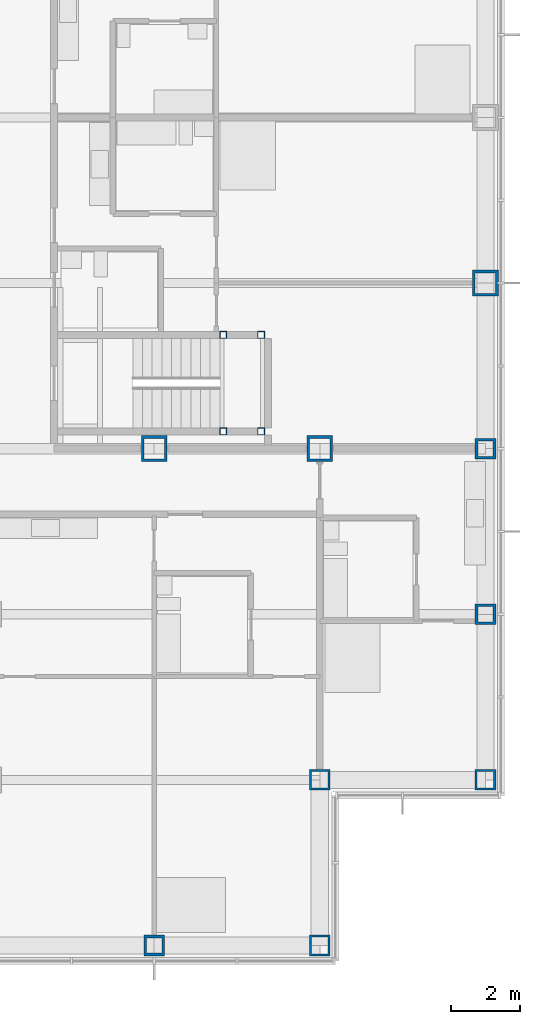
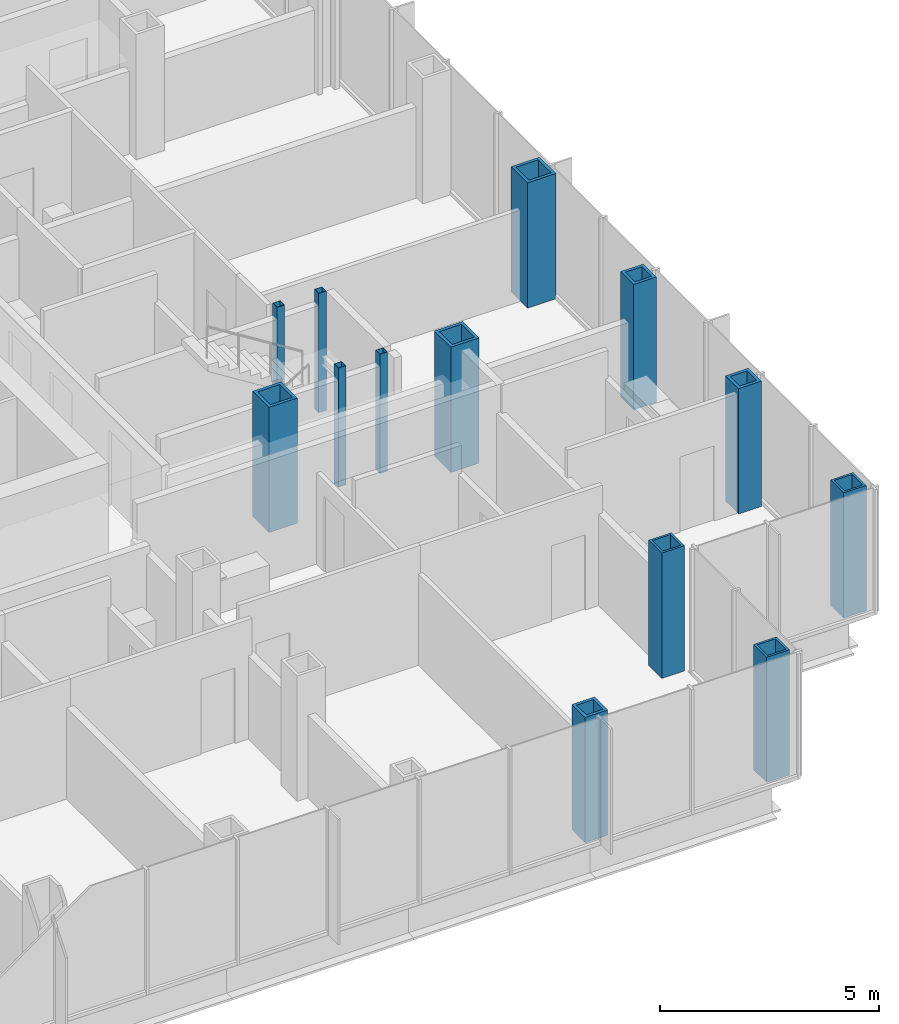
# One storey, part 4 of 21: 13 columns.
"""IFC4 building model written with IfcOpenShell, lengths in metres."""

from ifc_helpers import new_model, si_unit, direction, frame, origin, origin_2d, place, context, subcontext, project, spatial, hollow_rectangle, extrude, material, material_profile, profile_set, type_object, element, save


model = new_model("IFC4")

# Units and contexts
model_context = context("Model", 3, precision=1e-05, world=origin(), true_north=direction((0.0, 1.0)))
body_context = subcontext(model_context, "Body", "Model", "MODEL_VIEW")
ifc_project = project(units=[si_unit("LENGTHUNIT", "METRE"), si_unit("AREAUNIT", "SQUARE_METRE"), si_unit("VOLUMEUNIT", "CUBIC_METRE"), si_unit("PLANEANGLEUNIT", "RADIAN"), si_unit("MASSUNIT", "GRAM", prefix="KILO")], contexts=[model_context])

# Site, building, storey
site_placement = place(None, origin())
site = spatial("IfcSite", under=ifc_project, at=site_placement, CompositionType="ELEMENT")
building_placement = place(site_placement, origin())
building = spatial("IfcBuilding", under=site, at=building_placement, Name="Kvirike Care Tower", CompositionType="ELEMENT")
storey_placement = place(building_placement, frame((0.0, 0.0, 41.0)))
storey = spatial("IfcBuildingStorey", under=building, at=storey_placement, Name="L10", CompositionType="ELEMENT", Elevation=41.0)

# Columns
ifc_material_1 = material(Name="Steel S460", Category="steel")
ifc_material_profile_1 = material_profile(ifc_material_1, hollow_rectangle(XDim=0.60009765625, YDim=0.60009765625, WallThickness=0.06005859375, at=origin_2d()), Name="BX 600x600x60")
ifc_profile_set_1 = profile_set([ifc_material_profile_1], Name="Steel S460")
column_type_1 = type_object("IfcColumnType", Name="COLUMN BX 600x600x60", PredefinedType="COLUMN", material=ifc_profile_set_1)
for number, where, z_axis, x_axis, name in (
    (1, (38.39990234375, 14.39990234375, 0.0), (0.0, 0.0, 1.0), (0.0, 1.0, 0.0), "Column D11 L10"),
    (2, (38.39990234375, 19.199951171875, 0.0), (0.0, 0.0, 1.0), (0.0, 1.0, 0.0), "Column E11 L10"),
    (3, (43.199951171875, 19.199951171875, 0.0), (0.0, 0.0, 1.0), (0.0, 1.0, 0.0), "Column E12 L10"),
):
    element("IfcColumn", number, at=place(storey_placement, frame(where, z_axis=z_axis, x_axis=x_axis)), inside=storey, type_object=column_type_1, Name=name, PredefinedType="COLUMN", context=body_context, shape_type="SweptSolid", body=[
        extrude(hollow_rectangle(XDim=0.60009765625, YDim=0.60009765625, WallThickness=0.06005859375, at=origin_2d()), origin(), (0.0, 0.0, 1.0), 3.5),
    ])
ifc_material_2 = material(Name="Steel S460", Category="steel")
ifc_material_profile_2 = material_profile(ifc_material_2, hollow_rectangle(XDim=0.60009765625, YDim=0.60009765625, WallThickness=0.080078125, at=origin_2d()), Name="BX 600x600x80")
ifc_profile_set_2 = profile_set([ifc_material_profile_2], Name="Steel S460")
column_type_2 = type_object("IfcColumnType", Name="COLUMN BX 600x600x80", PredefinedType="COLUMN", material=ifc_profile_set_2)
for number, where, z_axis, x_axis, name in (
    (4, (33.60009765625, 14.39990234375, 0.0), (0.0, 0.0, 1.0), (0.0, 1.0, 0.0), "Column D10 L10"),
    (5, (43.199951171875, 24.0, 0.0), (0.0, 0.0, 1.0), (1.0, 0.0, 0.0), "Column F12 L10"),
    (6, (43.199951171875, 28.800048828125, 0.0), (0.0, 0.0, 1.0), (0.0, 1.0, 0.0), "Column G12 L10"),
):
    element("IfcColumn", number, at=place(storey_placement, frame(where, z_axis=z_axis, x_axis=x_axis)), inside=storey, type_object=column_type_2, Name=name, PredefinedType="COLUMN", context=body_context, shape_type="SweptSolid", body=[
        extrude(hollow_rectangle(XDim=0.60009765625, YDim=0.60009765625, WallThickness=0.080078125, at=origin_2d()), origin(), (0.0, 0.0, 1.0), 3.5),
    ])
ifc_material_3 = material(Name="Steel S460", Category="steel")
ifc_material_profile_3 = material_profile(ifc_material_3, hollow_rectangle(XDim=0.75, YDim=0.75, WallThickness=0.080078125, at=origin_2d()), Name="BX 750x750x80")
ifc_profile_set_3 = profile_set([ifc_material_profile_3], Name="Steel S460")
column_type_3 = type_object("IfcColumnType", Name="COLUMN BX 750x750x80", PredefinedType="COLUMN", material=ifc_profile_set_3)
for number, where, z_axis, x_axis, name in (
    (7, (33.60009765625, 28.800048828125, 0.0), (0.0, 0.0, 1.0), (0.0, 1.0, 0.0), "Column G10 L10"),
    (8, (38.39990234375, 28.800048828125, 0.0), (0.0, 0.0, 1.0), (0.0, 1.0, 0.0), "Column G11 L10"),
    (9, (43.199951171875, 33.60009765625, 0.0), (0.0, 0.0, 1.0), (1.0, 0.0, 0.0), "Column H12 L10"),
):
    element("IfcColumn", number, at=place(storey_placement, frame(where, z_axis=z_axis, x_axis=x_axis)), inside=storey, type_object=column_type_3, Name=name, PredefinedType="COLUMN", context=body_context, shape_type="SweptSolid", body=[
        extrude(hollow_rectangle(XDim=0.75, YDim=0.75, WallThickness=0.080078125, at=origin_2d()), origin(), (0.0, 0.0, 1.0), 3.5),
    ])
ifc_material_4 = material(Name="Steel S460", Category="steel")
ifc_material_profile_4 = material_profile(ifc_material_4, hollow_rectangle(XDim=0.199951171875, YDim=0.199951171875, WallThickness=0.008056640625, at=origin_2d()), Name="SHS 200x200x8")
ifc_profile_set_4 = profile_set([ifc_material_profile_4], Name="Steel S460")
column_type_4 = type_object("IfcColumnType", Name="STAIR POST SHS 200x200x8", PredefinedType="COLUMN", material=ifc_profile_set_4)
for number, where, z_axis, x_axis, name in (
    (10, (36.699951171875, 29.300048828125, 0.0), (0.0, 0.0, 1.0), (1.0, 0.0, 0.0), "Stair 2 post 1 L10"),
    (11, (36.699951171875, 32.10009765625, 0.0), (0.0, 0.0, 1.0), (1.0, 0.0, 0.0), "Stair 2 post 2 L10"),
    (12, (35.60009765625, 29.300048828125, 0.0), (0.0, 0.0, 1.0), (1.0, 0.0, 0.0), "Stair 2 post 3 L10"),
    (13, (35.60009765625, 32.10009765625, 0.0), (0.0, 0.0, 1.0), (1.0, 0.0, 0.0), "Stair 2 post 4 L10"),
):
    element("IfcColumn", number, at=place(storey_placement, frame(where, z_axis=z_axis, x_axis=x_axis)), inside=storey, type_object=column_type_4, Name=name, PredefinedType="COLUMN", context=body_context, shape_type="SweptSolid", body=[
        extrude(hollow_rectangle(XDim=0.199951171875, YDim=0.199951171875, WallThickness=0.008056640625, at=origin_2d()), origin(), (0.0, 0.0, 1.0), 3.330078125),
    ])

save(model, "model.ifc")
